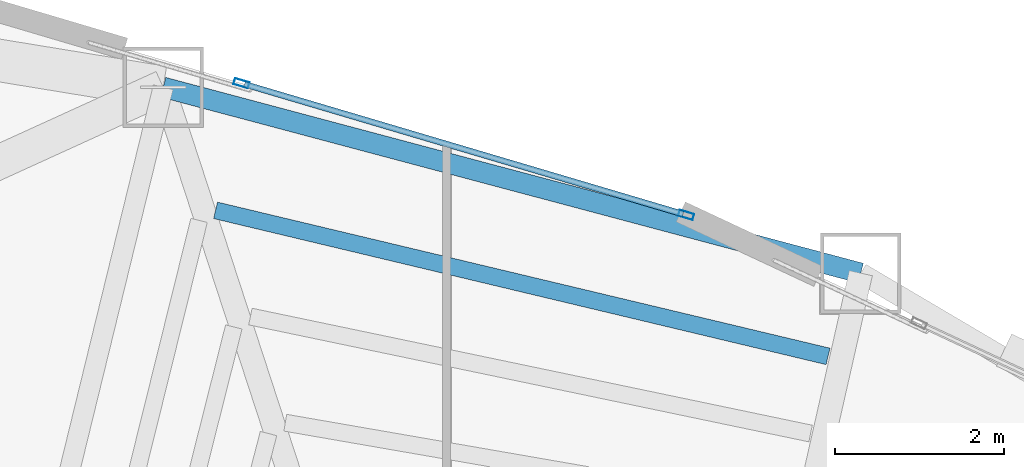
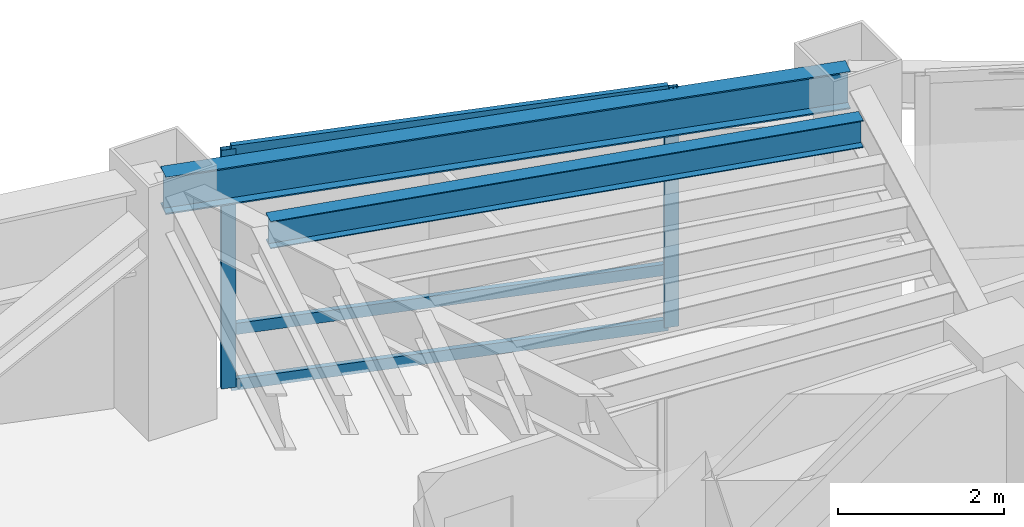
# One storey, part 9 of 16: 5 members, 2 beams, 1 element without a shape of its own.
"""IFC4 building model written with IfcOpenShell, lengths in metres."""

from ifc_helpers import new_model, si_unit, direction, frame, origin, origin_2d, place, context, subcontext, project, spatial, hollow_rectangle, i_section, extrude, material, layer, layer_set, material_profile, profile_set, type_object, element, aggregate, save


model = new_model("IFC4")

# Units and contexts
model_context = context("Model", 3, precision=1e-05, world=origin(), true_north=direction((0.0, 1.0)))
body_context = subcontext(model_context, "Body", "Model", "MODEL_VIEW")
ifc_project = project(units=[si_unit("LENGTHUNIT", "METRE"), si_unit("AREAUNIT", "SQUARE_METRE"), si_unit("VOLUMEUNIT", "CUBIC_METRE"), si_unit("PLANEANGLEUNIT", "RADIAN"), si_unit("MASSUNIT", "GRAM", prefix="KILO")], contexts=[model_context])

# Site, building, storey
site_placement = place(None, origin())
site = spatial("IfcSite", under=ifc_project, at=site_placement, CompositionType="ELEMENT")
building_placement = place(site_placement, origin())
building = spatial("IfcBuilding", under=site, at=building_placement, Name="Menara Vayukalpa", CompositionType="ELEMENT")
storey_placement = place(building_placement, frame((0.0, 0.0, 195.239990234375)))
storey = spatial("IfcBuildingStorey", under=building, at=storey_placement, Name="L49", CompositionType="ELEMENT", Elevation=195.239990234375)

# Beams
ifc_material_1 = material(Name="Steel S355", Category="steel")
ifc_material_profile_1 = material_profile(ifc_material_1, i_section(OverallWidth=0.199951171875, OverallDepth=0.39990234375, WebThickness=0.008056640625, FlangeThickness=0.012939453125, at=origin_2d()), Name="WF 400x200x8x13")
ifc_profile_set_1 = profile_set([ifc_material_profile_1], Name="Steel S355")
beam_type_1 = type_object("IfcBeamType", Name="BM-SJ2", PredefinedType="JOIST", material=ifc_profile_set_1)
beam_1_placement = place(storey_placement, frame((23.002685546875, 31.725830078125, 3.300048828125), z_axis=(-0.972731800574, 0.231932844055, 0.0), x_axis=(-0.231932844055, -0.972731800574, 0.0)))
element("IfcBeam", 1, at=beam_1_placement, inside=storey, type_object=beam_type_1, Name="L49 Secondary Floor Joist SJ03-5", PredefinedType="JOIST", context=body_context, shape_type="SweptSolid", body=[
    extrude(i_section(OverallWidth=0.199951171875, OverallDepth=0.39990234375, WebThickness=0.008056640625, FlangeThickness=0.012939453125, at=origin_2d()), origin(), (0.0, 0.0, 1.0), 7.4326171875),
])
ifc_material_2 = material(Name="Steel S355", Category="steel")
ifc_material_profile_2 = material_profile(ifc_material_2, i_section(OverallWidth=0.239990234375, OverallDepth=0.550048828125, WebThickness=0.010986328125, FlangeThickness=0.01904296875, at=origin_2d()), Name="WF 550x240x11x19")
ifc_profile_set_2 = profile_set([ifc_material_profile_2], Name="Steel S355")
beam_type_2 = type_object("IfcBeamType", Name="BM-SP2", PredefinedType="SPANDREL", material=ifc_profile_set_2)
beam_2_placement = place(storey_placement, frame((23.389404296875, 32.70849609375, 3.22509765625), z_axis=(-0.966287699272, 0.25746472037, 0.0), x_axis=(-0.25746472037, -0.966287699272, 0.0)))
element("IfcBeam", 2, at=beam_2_placement, inside=storey, type_object=beam_type_2, Name="L49 Perimeter Spandrel Beam SP03", PredefinedType="SPANDREL", context=body_context, shape_type="SweptSolid", body=[
    extrude(i_section(OverallWidth=0.239990234375, OverallDepth=0.550048828125, WebThickness=0.010986328125, FlangeThickness=0.01904296875, at=origin_2d()), origin(), (0.0, 0.0, 1.0), 8.52197265625),
])

# Curtain wall, members
ifc_material_3 = material(Name="Anodised Terracotta Aluminium Alloy 6063-T6", Category="masonry")
ifc_layer = layer(ifc_material_3, 0.179931640625)
ifc_layer_set = layer_set([ifc_layer], Name="Anodised Terracotta Aluminium Alloy 6063-T6")
curtain_wall_type = type_object("IfcCurtainWallType", Name="CW-CW4", PredefinedType="USERDEFINED", material=ifc_layer_set)
curtain_wall_placement = place(storey_placement, origin())
curtain_wall = element("IfcCurtainWall", 3, at=curtain_wall_placement, inside=storey, type_object=curtain_wall_type, Name="L49 Sky Bar Cantilever Glazed Curtain Wall CW4 07", ObjectType="UNITISED", PredefinedType="USERDEFINED")
ifc_material_4 = material(Name="Anodised Terracotta Aluminium Alloy 6063-T6", Category="masonry")
ifc_material_profile_3 = material_profile(ifc_material_4, hollow_rectangle(XDim=0.074951171875, YDim=0.179931640625, WallThickness=0.00390625, at=origin_2d()), Name="ALU 75x180x4")
ifc_profile_set_3 = profile_set([ifc_material_profile_3], Name="Anodised Terracotta Aluminium Alloy 6063-T6")
member_type_1 = type_object("IfcMemberType", Name="CWM-CW4", PredefinedType="MULLION", material=ifc_profile_set_3)
member_1_placement = place(storey_placement, frame((21.3271484375, 33.395263671875, 0.0), z_axis=(0.0, 0.0, 1.0), x_axis=(-0.283893813595, -0.958855725645, 0.0)))
member_1 = element("IfcMember", 4, at=member_1_placement, type_object=member_type_1, Name="CW4 mullion 1", PredefinedType="MULLION", context=body_context, shape_type="SweptSolid", body=[
    extrude(hollow_rectangle(XDim=0.074951171875, YDim=0.179931640625, WallThickness=0.00390625, at=origin_2d()), origin(), (0.0, 0.0, 1.0), 3.5),
])
member_2_placement = place(storey_placement, frame((16.07861328125, 34.949462890625, 0.0), z_axis=(0.0, 0.0, 1.0), x_axis=(-0.283893813595, -0.958855725645, 0.0)))
member_2 = element("IfcMember", 5, at=member_2_placement, type_object=member_type_1, Name="CW4 mullion 2", PredefinedType="MULLION", context=body_context, shape_type="SweptSolid", body=[
    extrude(hollow_rectangle(XDim=0.074951171875, YDim=0.179931640625, WallThickness=0.00390625, at=origin_2d()), origin(), (0.0, 0.0, 1.0), 3.5),
])
ifc_material_5 = material(Name="Anodised Terracotta Aluminium Alloy 6063-T6", Category="masonry")
ifc_material_profile_4 = material_profile(ifc_material_5, hollow_rectangle(XDim=0.070068359375, YDim=0.1650390625, WallThickness=0.00390625, at=origin_2d()), Name="ALU 70x165x4")
ifc_profile_set_4 = profile_set([ifc_material_profile_4], Name="Anodised Terracotta Aluminium Alloy 6063-T6")
member_type_2 = type_object("IfcMemberType", Name="CWT-CW4", PredefinedType="USERDEFINED", material=ifc_profile_set_4)
member_3_placement = place(storey_placement, frame((21.291259765625, 33.406005859375, 0.034912109375), z_axis=(-0.958855573875, 0.283894326202, 0.0), x_axis=(-0.283894326202, -0.958855573875, 0.0)))
member_3 = element("IfcMember", 6, at=member_3_placement, type_object=member_type_2, Name="CW4 transom 1.1", ObjectType="TRANSOM", PredefinedType="USERDEFINED", context=body_context, shape_type="SweptSolid", body=[
    extrude(hollow_rectangle(XDim=0.070068359375, YDim=0.1650390625, WallThickness=0.00390625, at=origin_2d()), origin(), (0.0, 0.0, 1.0), 5.39892578125),
])
member_4_placement = place(storey_placement, frame((21.291259765625, 33.406005859375, 0.85009765625), z_axis=(-0.958855573875, 0.283894326202, 0.0), x_axis=(-0.283894326202, -0.958855573875, 0.0)))
member_4 = element("IfcMember", 7, at=member_4_placement, type_object=member_type_2, Name="CW4 transom 1.2", ObjectType="TRANSOM", PredefinedType="USERDEFINED", context=body_context, shape_type="SweptSolid", body=[
    extrude(hollow_rectangle(XDim=0.070068359375, YDim=0.1650390625, WallThickness=0.00390625, at=origin_2d()), origin(), (0.0, 0.0, 1.0), 5.39892578125),
])
member_5_placement = place(storey_placement, frame((21.291259765625, 33.406005859375, 3.465087890625), z_axis=(-0.958855573875, 0.283894326202, 0.0), x_axis=(-0.283894326202, -0.958855573875, 0.0)))
member_5 = element("IfcMember", 8, at=member_5_placement, type_object=member_type_2, Name="CW4 transom 1.3", ObjectType="TRANSOM", PredefinedType="USERDEFINED", context=body_context, shape_type="SweptSolid", body=[
    extrude(hollow_rectangle(XDim=0.070068359375, YDim=0.1650390625, WallThickness=0.00390625, at=origin_2d()), origin(), (0.0, 0.0, 1.0), 5.39892578125),
])
aggregate(curtain_wall, [member_1, member_2, member_3, member_4, member_5])

save(model, "model.ifc")
